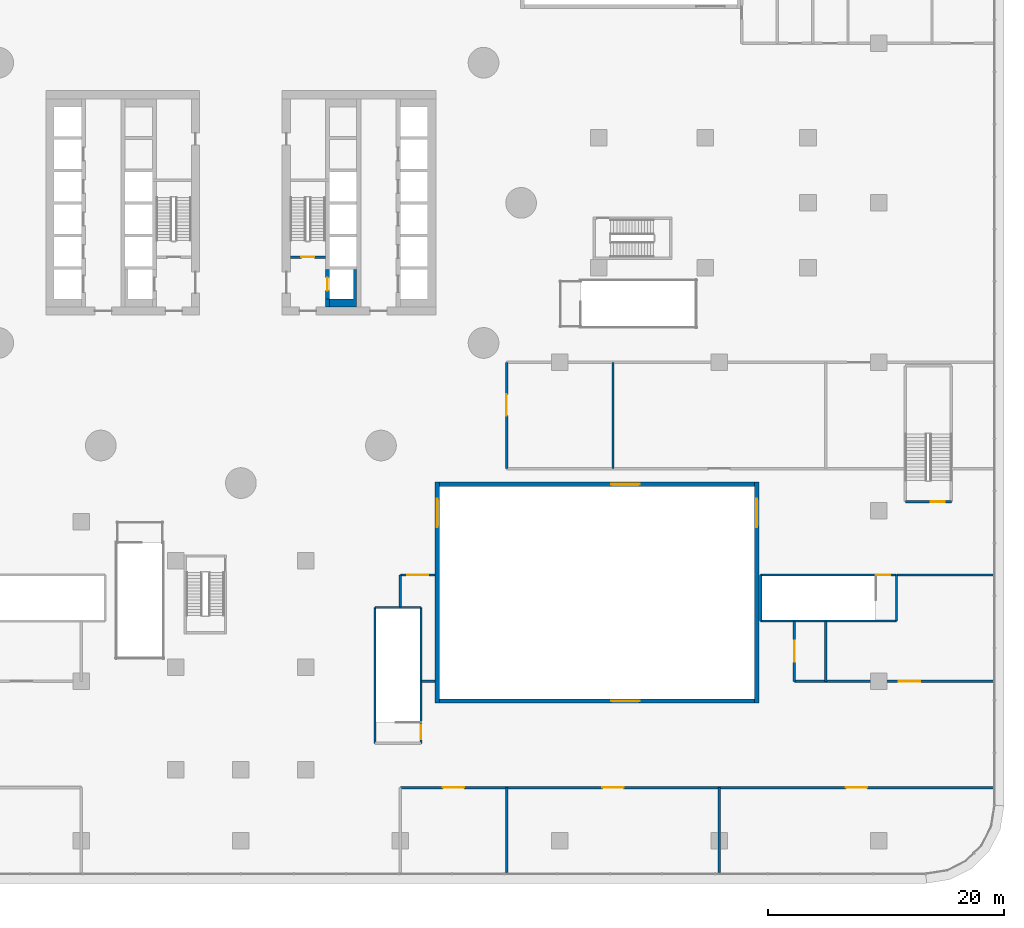
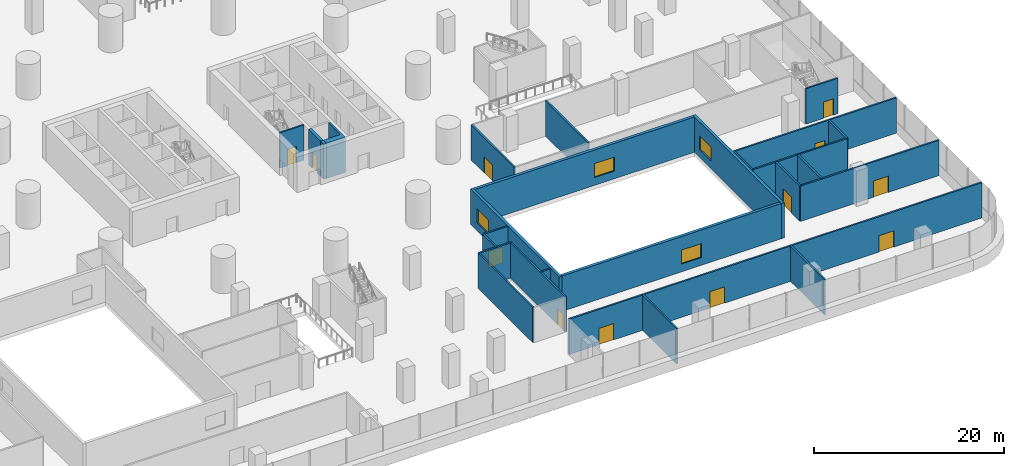
# One storey, part 25 of 38: 28 walls, 12 doors, 4 windows, 16 openings.
"""IFC4 building model written with IfcOpenShell, lengths in metres."""

from ifc_helpers import new_model, si_unit, direction, frame, frame_2d, origin, place, context, subcontext, project, spatial, polyline, rectangle, outline, extrude, material, layer, layer_set, type_object, element, fill, save


model = new_model("IFC4")

# Units and contexts
model_context = context("Model", 3, precision=1e-05, world=origin(), true_north=direction((0.0, 1.0)))
body_context = subcontext(model_context, "Body", "Model", "MODEL_VIEW")
ifc_project = project(units=[si_unit("LENGTHUNIT", "METRE"), si_unit("AREAUNIT", "SQUARE_METRE"), si_unit("VOLUMEUNIT", "CUBIC_METRE"), si_unit("PLANEANGLEUNIT", "RADIAN"), si_unit("MASSUNIT", "GRAM", prefix="KILO")], contexts=[model_context])

# Site, building, storey
site_placement = place(None, origin())
site = spatial("IfcSite", under=ifc_project, at=site_placement, CompositionType="ELEMENT")
building_placement = place(site_placement, origin())
building = spatial("IfcBuilding", under=site, at=building_placement, Name="Tamarind Cross Interchange Tower", CompositionType="ELEMENT")
storey_placement = place(building_placement, frame((0.0, 0.0, 20.0)))
storey = spatial("IfcBuildingStorey", under=building, at=storey_placement, Name="L03", CompositionType="ELEMENT", Elevation=20.0)

# Walls
ifc_material_1 = material(Name="Concrete C80", Category="concrete")
ifc_layer_1 = layer(ifc_material_1, 0.35009765625)
ifc_layer_set_1 = layer_set([ifc_layer_1], Name="Concrete C80")
wall_type_1 = type_object("IfcWallType", Name="Core web wall 350 mm Concrete C80", PredefinedType="SHEAR", material=ifc_layer_set_1)
wall_1_placement = place(storey_placement, origin())
element("IfcWall", 1, at=wall_1_placement, inside=storey, type_object=wall_type_1, Name="Core wall CWL-L03-E-BS", PredefinedType="SHEAR", context=body_context, shape_type="SweptSolid", body=[
    extrude(outline(polyline([(7.5, -8.125), (7.5, -8.800048828125), (9.800048828125, -8.800048828125), (9.800048828125, -8.125), (9.800048828125, -5.625), (9.550048828125, -5.625), (9.550048828125, -8.125), (7.5, -8.125)])), origin(), (0.0, 0.0, 1.0), 4.550048828125),
])
wall_2_placement = place(storey_placement, frame((7.324951171875, -8.800048828125, 0.0), z_axis=(0.0, 0.0, 1.0), x_axis=(0.0, 1.0, 0.0)))
element("IfcWall", 2, at=wall_2_placement, inside=storey, type_object=wall_type_1, Name="Core wall CWL-L03-E-BW", PredefinedType="SHEAR", context=body_context, shape_type="SweptSolid", body=[
    extrude(rectangle(XDim=0.675048828125, YDim=0.35009765625, at=frame_2d((0.33740234375, 0.0))), origin(), (0.0, 0.0, 1.0), 4.550048828125),
])

# Wall, opening, door
wall_3_placement = place(storey_placement, frame((7.324951171875, -8.125, 0.0), z_axis=(0.0, 0.0, 1.0), x_axis=(0.0, 1.0, 0.0)))
wall_3 = element("IfcWall", 3, at=wall_3_placement, inside=storey, type_object=wall_type_1, Name="Core wall CWL-L03-E-FF", PredefinedType="SHEAR", context=body_context, shape_type="SweptSolid", body=[
    extrude(rectangle(XDim=2.5, YDim=0.35009765625, at=frame_2d((1.25, 0.0))), origin(), (0.0, 0.0, 1.0), 4.550048828125),
])
opening_1_placement = place(wall_3_placement, frame((0.699951171875, 0.0, 0.0)))
opening_1 = element("IfcOpeningElement", 4, at=opening_1_placement, cuts=wall_3, Name="Opening LD19L03", PredefinedType="OPENING", context=body_context, shape_type="SweptSolid", body=[
    extrude(rectangle(XDim=1.10009765625, YDim=2.10009765625, at=frame_2d((0.550048828125, 1.050048828125))), frame((0.0, 0.18505859375, 0.0), z_axis=(0.0, -1.0, 0.0), x_axis=(1.0, 0.0, 0.0)), (0.0, 0.0, 1.0), 0.3701171875),
])
ifc_material_2 = material(Name="Stainless steel panel", Category="steel")
door_type_1 = type_object("IfcDoorType", Name="Lift landing door 1100 x 2100 E 120", OperationType="SLIDING_TO_LEFT", PredefinedType="DOOR", material=ifc_material_2)
door_1_placement = place(opening_1_placement, origin())
door_1 = element("IfcDoor", 5, at=door_1_placement, inside=storey, type_object=door_type_1, Name="L03 landing door LF19", OperationType="SLIDING_TO_LEFT", OverallHeight=2.10009765625, OverallWidth=1.10009765625, PredefinedType="DOOR", context=body_context, shape_type="SweptSolid", body=[
    extrude(rectangle(XDim=1.10009765625, YDim=2.10009765625, at=frame_2d((0.550048828125, 1.050048828125))), frame((0.0, 0.02490234375, 0.0), z_axis=(0.0, -1.0, 0.0), x_axis=(1.0, 0.0, 0.0)), (0.0, 0.0, 1.0), 0.050048828125),
])
fill(opening_1, door_1)

# Wall, openings, doors
ifc_material_3 = material(Name="Masonry partition, fire-rated", Category="masonry")
ifc_layer_2 = layer(ifc_material_3, 0.199951171875)
ifc_layer_set_2 = layer_set([ifc_layer_2], Name="Masonry partition, fire-rated")
wall_type_2 = type_object("IfcWallType", Name="Fire partition 200 EI 120", PredefinedType="PARTITIONING", material=ifc_layer_set_2)
wall_4_placement = place(storey_placement, frame((13.5, -49.5, 0.0), z_axis=(0.0, 0.0, 1.0), x_axis=(1.0, 0.0, 0.0)))
wall_4 = element("IfcWall", 6, at=wall_4_placement, inside=storey, type_object=wall_type_2, Name="L03 partition 86", PredefinedType="PARTITIONING", context=body_context, shape_type="SweptSolid", body=[
    extrude(rectangle(XDim=50.198974609375, YDim=0.199951171875, at=frame_2d((25.099609375, 0.0))), origin(), (0.0, 0.0, 1.0), 4.550048828125),
])
opening_2_placement = place(wall_4_placement, frame((3.60009765625, 0.0, 0.0)))
opening_2 = element("IfcOpeningElement", 7, at=opening_2_placement, cuts=wall_4, Name="Opening DL03-46", PredefinedType="OPENING", context=body_context, shape_type="SweptSolid", body=[
    extrude(rectangle(XDim=1.800048828125, YDim=2.10009765625, at=frame_2d((0.89990234375, 1.050048828125))), frame((0.0, 0.10986328125, 0.0), z_axis=(0.0, -1.0, 0.0), x_axis=(1.0, 0.0, 0.0)), (0.0, 0.0, 1.0), 0.219970703125),
])
opening_3_placement = place(wall_4_placement, frame((17.10009765625, 0.0, 0.0)))
opening_3 = element("IfcOpeningElement", 8, at=opening_3_placement, cuts=wall_4, Name="Opening DL03-47", PredefinedType="OPENING", context=body_context, shape_type="SweptSolid", body=[
    extrude(rectangle(XDim=1.800048828125, YDim=2.10009765625, at=frame_2d((0.89990234375, 1.050048828125))), frame((0.0, 0.10986328125, 0.0), z_axis=(0.0, -1.0, 0.0), x_axis=(1.0, 0.0, 0.0)), (0.0, 0.0, 1.0), 0.219970703125),
])
opening_4_placement = place(wall_4_placement, frame((37.7099609375, 0.0, 0.0)))
opening_4 = element("IfcOpeningElement", 9, at=opening_4_placement, cuts=wall_4, Name="Opening DL03-48", PredefinedType="OPENING", context=body_context, shape_type="SweptSolid", body=[
    extrude(rectangle(XDim=1.800048828125, YDim=2.10009765625, at=frame_2d((0.89990234375, 1.050048828125))), frame((0.0, 0.10986328125, 0.0), z_axis=(0.0, -1.0, 0.0), x_axis=(1.0, 0.0, 0.0)), (0.0, 0.0, 1.0), 0.219970703125),
])
ifc_material_4 = material(Name="Steel, fire-resisting", Category="steel")
door_type_2 = type_object("IfcDoorType", Name="Podium door 1800 x 2100 FD60", OperationType="SINGLE_SWING_LEFT", PredefinedType="DOOR", material=ifc_material_4)
door_2_placement = place(opening_2_placement, origin())
door_2 = element("IfcDoor", 10, at=door_2_placement, inside=storey, type_object=door_type_2, Name="L03 door Health Clinic 0331", OperationType="SINGLE_SWING_RIGHT", OverallHeight=2.10009765625, OverallWidth=1.800048828125, PredefinedType="DOOR", context=body_context, shape_type="SweptSolid", body=[
    extrude(rectangle(XDim=1.800048828125, YDim=2.10009765625, at=frame_2d((0.89990234375, 1.050048828125))), frame((0.0, 0.02490234375, 0.0), z_axis=(0.0, -1.0, 0.0), x_axis=(1.0, 0.0, 0.0)), (0.0, 0.0, 1.0), 0.050048828125),
])
fill(opening_2, door_2)
door_3_placement = place(opening_3_placement, origin())
door_3 = element("IfcDoor", 11, at=door_3_placement, inside=storey, type_object=door_type_2, Name="L03 door Training Room 0332", OperationType="SINGLE_SWING_LEFT", OverallHeight=2.10009765625, OverallWidth=1.800048828125, PredefinedType="DOOR", context=body_context, shape_type="SweptSolid", body=[
    extrude(rectangle(XDim=1.800048828125, YDim=2.10009765625, at=frame_2d((0.89990234375, 1.050048828125))), frame((0.0, 0.02490234375, 0.0), z_axis=(0.0, -1.0, 0.0), x_axis=(1.0, 0.0, 0.0)), (0.0, 0.0, 1.0), 0.050048828125),
])
fill(opening_3, door_3)
door_4_placement = place(opening_4_placement, origin())
door_4 = element("IfcDoor", 12, at=door_4_placement, inside=storey, type_object=door_type_2, Name="L03 door Co-working Suite 0333", OperationType="SINGLE_SWING_RIGHT", OverallHeight=2.10009765625, OverallWidth=1.800048828125, PredefinedType="DOOR", context=body_context, shape_type="SweptSolid", body=[
    extrude(rectangle(XDim=1.800048828125, YDim=2.10009765625, at=frame_2d((0.89990234375, 1.050048828125))), frame((0.0, 0.02490234375, 0.0), z_axis=(0.0, -1.0, 0.0), x_axis=(1.0, 0.0, 0.0)), (0.0, 0.0, 1.0), 0.050048828125),
])
fill(opening_4, door_4)

# Wall
wall_5_placement = place(storey_placement, frame((13.5, -34.219970703125, 0.0), z_axis=(0.0, 0.0, 1.0), x_axis=(0.0, 1.0, 0.0)))
element("IfcWall", 13, at=wall_5_placement, inside=storey, type_object=wall_type_2, Name="L03 partition 87", PredefinedType="PARTITIONING", context=body_context, shape_type="SweptSolid", body=[
    extrude(rectangle(XDim=2.719970703125, YDim=0.199951171875, at=frame_2d((1.35986328125, 0.0))), origin(), (0.0, 0.0, 1.0), 4.550048828125),
])

# Wall, opening, door
wall_6_placement = place(storey_placement, frame((13.5, -31.5, 0.0), z_axis=(0.0, 0.0, 1.0), x_axis=(1.0, 0.0, 0.0)))
wall_6 = element("IfcWall", 14, at=wall_6_placement, inside=storey, type_object=wall_type_2, Name="L03 partition 88", PredefinedType="PARTITIONING", context=body_context, shape_type="SweptSolid", body=[
    extrude(rectangle(XDim=2.919921875, YDim=0.199951171875, at=frame_2d((1.4599609375, 0.0))), origin(), (0.0, 0.0, 1.0), 4.550048828125),
])
opening_5_placement = place(wall_6_placement, frame((0.574951171875, 0.0, 0.0)))
opening_5 = element("IfcOpeningElement", 15, at=opening_5_placement, cuts=wall_6, Name="Opening DL03-44", PredefinedType="OPENING", context=body_context, shape_type="SweptSolid", body=[
    extrude(rectangle(XDim=1.800048828125, YDim=2.10009765625, at=frame_2d((0.89990234375, 1.050048828125))), frame((0.0, 0.10986328125, 0.0), z_axis=(0.0, -1.0, 0.0), x_axis=(1.0, 0.0, 0.0)), (0.0, 0.0, 1.0), 0.219970703125),
])
door_5_placement = place(opening_5_placement, origin())
door_5 = element("IfcDoor", 16, at=door_5_placement, inside=storey, type_object=door_type_2, Name="L03 door Childcare Room 0328", OperationType="SINGLE_SWING_RIGHT", OverallHeight=2.10009765625, OverallWidth=1.800048828125, PredefinedType="DOOR", context=body_context, shape_type="SweptSolid", body=[
    extrude(rectangle(XDim=1.800048828125, YDim=2.10009765625, at=frame_2d((0.89990234375, 1.050048828125))), frame((0.0, 0.02490234375, 0.0), z_axis=(0.0, -1.0, 0.0), x_axis=(1.0, 0.0, 0.0)), (0.0, 0.0, 1.0), 0.050048828125),
])
fill(opening_5, door_5)

# Walls
wall_7_placement = place(storey_placement, frame((15.280029296875, -40.5, 0.0), z_axis=(0.0, 0.0, 1.0), x_axis=(1.0, 0.0, 0.0)))
element("IfcWall", 17, at=wall_7_placement, inside=storey, type_object=wall_type_2, Name="L03 partition 90", PredefinedType="PARTITIONING", context=body_context, shape_type="SweptSolid", body=[
    extrude(rectangle(XDim=1.139892578125, YDim=0.199951171875, at=frame_2d((0.56982421875, 0.0))), origin(), (0.0, 0.0, 1.0), 4.550048828125),
])
wall_8_placement = place(storey_placement, frame((22.5, -56.698974609375, 0.0), z_axis=(0.0, 0.0, 1.0), x_axis=(0.0, 1.0, 0.0)))
element("IfcWall", 18, at=wall_8_placement, inside=storey, type_object=wall_type_2, Name="L03 partition 92", PredefinedType="PARTITIONING", context=body_context, shape_type="SweptSolid", body=[
    extrude(rectangle(XDim=7.198974609375, YDim=0.199951171875, at=frame_2d((3.599609375, 0.0))), origin(), (0.0, 0.0, 1.0), 4.550048828125),
])
wall_9_placement = place(storey_placement, frame((31.5, -22.5, 0.0), z_axis=(0.0, 0.0, 1.0), x_axis=(0.0, 1.0, 0.0)))
element("IfcWall", 19, at=wall_9_placement, inside=storey, type_object=wall_type_2, Name="L03 partition 97", PredefinedType="PARTITIONING", context=body_context, shape_type="SweptSolid", body=[
    extrude(rectangle(XDim=9.0, YDim=0.199951171875, at=frame_2d((4.5, 0.0))), origin(), (0.0, 0.0, 1.0), 4.550048828125),
])

# Wall, opening, door
wall_10_placement = place(storey_placement, frame((22.5, -22.5, 0.0), z_axis=(0.0, 0.0, 1.0), x_axis=(0.0, 1.0, 0.0)))
wall_10 = element("IfcWall", 20, at=wall_10_placement, inside=storey, type_object=wall_type_2, Name="L03 partition 98", PredefinedType="PARTITIONING", context=body_context, shape_type="SweptSolid", body=[
    extrude(rectangle(XDim=9.0, YDim=0.199951171875, at=frame_2d((4.5, 0.0))), origin(), (0.0, 0.0, 1.0), 4.550048828125),
])
opening_6_placement = place(wall_10_placement, frame((4.491943359375, 0.0, 0.0)))
opening_6 = element("IfcOpeningElement", 21, at=opening_6_placement, cuts=wall_10, Name="Opening DL03-41", PredefinedType="OPENING", context=body_context, shape_type="SweptSolid", body=[
    extrude(rectangle(XDim=1.800048828125, YDim=2.10009765625, at=frame_2d((0.89990234375, 1.050048828125))), frame((0.0, 0.10986328125, 0.0), z_axis=(0.0, -1.0, 0.0), x_axis=(1.0, 0.0, 0.0)), (0.0, 0.0, 1.0), 0.219970703125),
])
door_6_placement = place(opening_6_placement, origin())
door_6 = element("IfcDoor", 22, at=door_6_placement, inside=storey, type_object=door_type_2, Name="L03 door Health Clinic 0325", OperationType="SINGLE_SWING_LEFT", OverallHeight=2.10009765625, OverallWidth=1.800048828125, PredefinedType="DOOR", context=body_context, shape_type="SweptSolid", body=[
    extrude(rectangle(XDim=1.800048828125, YDim=2.10009765625, at=frame_2d((0.89990234375, 1.050048828125))), frame((0.0, 0.02490234375, 0.0), z_axis=(0.0, -1.0, 0.0), x_axis=(1.0, 0.0, 0.0)), (0.0, 0.0, 1.0), 0.050048828125),
])
fill(opening_6, door_6)

# Wall
wall_11_placement = place(storey_placement, frame((40.5, -56.698974609375, 0.0), z_axis=(0.0, 0.0, 1.0), x_axis=(0.0, 1.0, 0.0)))
element("IfcWall", 23, at=wall_11_placement, inside=storey, type_object=wall_type_2, Name="L03 partition 101", PredefinedType="PARTITIONING", context=body_context, shape_type="SweptSolid", body=[
    extrude(rectangle(XDim=7.198974609375, YDim=0.199951171875, at=frame_2d((3.599609375, 0.0))), origin(), (0.0, 0.0, 1.0), 4.550048828125),
])

# Wall, opening, door
wall_12_placement = place(storey_placement, frame((46.85009765625, -40.5, 0.0), z_axis=(0.0, 0.0, 1.0), x_axis=(1.0, 0.0, 0.0)))
wall_12 = element("IfcWall", 24, at=wall_12_placement, inside=storey, type_object=wall_type_2, Name="L03 partition 106", PredefinedType="PARTITIONING", context=body_context, shape_type="SweptSolid", body=[
    extrude(rectangle(XDim=16.848876953125, YDim=0.199951171875, at=frame_2d((8.42431640625, 0.0))), origin(), (0.0, 0.0, 1.0), 4.550048828125),
])
opening_7_placement = place(wall_12_placement, frame((8.860107421875, 0.0, 0.0)))
opening_7 = element("IfcOpeningElement", 25, at=opening_7_placement, cuts=wall_12, Name="Opening DL03-45", PredefinedType="OPENING", context=body_context, shape_type="SweptSolid", body=[
    extrude(rectangle(XDim=1.800048828125, YDim=2.10009765625, at=frame_2d((0.89990234375, 1.050048828125))), frame((0.0, 0.10986328125, 0.0), z_axis=(0.0, -1.0, 0.0), x_axis=(1.0, 0.0, 0.0)), (0.0, 0.0, 1.0), 0.219970703125),
])
door_7_placement = place(opening_7_placement, origin())
door_7 = element("IfcDoor", 26, at=door_7_placement, inside=storey, type_object=door_type_2, Name="L03 door Library Reading Room 0330", OperationType="SINGLE_SWING_LEFT", OverallHeight=2.10009765625, OverallWidth=1.800048828125, PredefinedType="DOOR", context=body_context, shape_type="SweptSolid", body=[
    extrude(rectangle(XDim=1.800048828125, YDim=2.10009765625, at=frame_2d((0.89990234375, 1.050048828125))), frame((0.0, 0.02490234375, 0.0), z_axis=(0.0, -1.0, 0.0), x_axis=(1.0, 0.0, 0.0)), (0.0, 0.0, 1.0), 0.050048828125),
])
fill(opening_7, door_7)

wall_13_placement = place(storey_placement, frame((46.85009765625, -40.5, 0.0), z_axis=(0.0, 0.0, 1.0), x_axis=(0.0, 1.0, 0.0)))
wall_13 = element("IfcWall", 27, at=wall_13_placement, inside=storey, type_object=wall_type_2, Name="L03 partition 107", PredefinedType="PARTITIONING", context=body_context, shape_type="SweptSolid", body=[
    extrude(rectangle(XDim=5.070068359375, YDim=0.199951171875, at=frame_2d((2.53515625, 0.0))), origin(), (0.0, 0.0, 1.0), 4.550048828125),
])
opening_8_placement = place(wall_13_placement, frame((1.64990234375, 0.0, 0.0)))
opening_8 = element("IfcOpeningElement", 28, at=opening_8_placement, cuts=wall_13, Name="Opening DL03-49", PredefinedType="OPENING", context=body_context, shape_type="SweptSolid", body=[
    extrude(rectangle(XDim=1.800048828125, YDim=2.10009765625, at=frame_2d((0.89990234375, 1.050048828125))), frame((0.0, 0.10986328125, 0.0), z_axis=(0.0, -1.0, 0.0), x_axis=(1.0, 0.0, 0.0)), (0.0, 0.0, 1.0), 0.219970703125),
])
door_8_placement = place(opening_8_placement, origin())
door_8 = element("IfcDoor", 29, at=door_8_placement, inside=storey, type_object=door_type_2, Name="L03 door Community Hall 0329", OperationType="SINGLE_SWING_LEFT", OverallHeight=2.10009765625, OverallWidth=1.800048828125, PredefinedType="DOOR", context=body_context, shape_type="SweptSolid", body=[
    extrude(rectangle(XDim=1.800048828125, YDim=2.10009765625, at=frame_2d((0.89990234375, 1.050048828125))), frame((0.0, 0.02490234375, 0.0), z_axis=(0.0, -1.0, 0.0), x_axis=(1.0, 0.0, 0.0)), (0.0, 0.0, 1.0), 0.050048828125),
])
fill(opening_8, door_8)

# Walls
wall_14_placement = place(storey_placement, frame((49.5, -40.5, 0.0), z_axis=(0.0, 0.0, 1.0), x_axis=(0.0, 1.0, 0.0)))
element("IfcWall", 30, at=wall_14_placement, inside=storey, type_object=wall_type_2, Name="L03 partition 109", PredefinedType="PARTITIONING", context=body_context, shape_type="SweptSolid", body=[
    extrude(rectangle(XDim=5.070068359375, YDim=0.199951171875, at=frame_2d((2.53515625, 0.0))), origin(), (0.0, 0.0, 1.0), 4.550048828125),
])
wall_15_placement = place(storey_placement, frame((55.530029296875, -31.5, 0.0), z_axis=(0.0, 0.0, 1.0), x_axis=(1.0, 0.0, 0.0)))
element("IfcWall", 31, at=wall_15_placement, inside=storey, type_object=wall_type_2, Name="L03 partition 113", PredefinedType="PARTITIONING", context=body_context, shape_type="SweptSolid", body=[
    extrude(rectangle(XDim=8.1689453125, YDim=0.199951171875, at=frame_2d((4.08447265625, 0.0))), origin(), (0.0, 0.0, 1.0), 4.550048828125),
])

# Wall, opening, window
ifc_material_5 = material(Name="Precast concrete C40", Category="concrete")
ifc_layer_3 = layer(ifc_material_5, 0.35009765625)
ifc_layer_set_3 = layer_set([ifc_layer_3], Name="Precast concrete C40")
wall_type_3 = type_object("IfcWallType", Name="Podium facade wall", PredefinedType="SOLIDWALL", material=ifc_layer_set_3)
wall_16_placement = place(storey_placement, frame((16.800048828125, -42.175048828125, 0.0), z_axis=(0.0, 0.0, 1.0), x_axis=(1.0, 0.0, 0.0)))
wall_16 = element("IfcWall", 32, at=wall_16_placement, inside=storey, type_object=wall_type_3, Name="CTW-L03-SES00", PredefinedType="SOLIDWALL", context=body_context, shape_type="SweptSolid", body=[
    extrude(rectangle(XDim=26.699951171875, YDim=0.35009765625, at=frame_2d((13.35009765625, 0.0))), origin(), (0.0, 0.0, 1.0), 4.550048828125),
])
opening_9_placement = place(wall_16_placement, frame((14.550048828125, 0.0, 1.0)))
opening_9 = element("IfcOpeningElement", 33, at=opening_9_placement, cuts=wall_16, Name="Opening W4", PredefinedType="OPENING", context=body_context, shape_type="SweptSolid", body=[
    extrude(rectangle(XDim=2.39990234375, YDim=1.800048828125, at=frame_2d((1.199951171875, 0.89990234375))), frame((0.0, 0.18505859375, 0.0), z_axis=(0.0, -1.0, 0.0), x_axis=(1.0, 0.0, 0.0)), (0.0, 0.0, 1.0), 0.3701171875),
])
ifc_material_6 = material(Name="Aluminium and toughened glass", Category="aluminium")
window_type = type_object("IfcWindowType", Name="Podium daylight window", PartitioningType="SINGLE_PANEL", PredefinedType="WINDOW", material=ifc_material_6)
window_1_placement = place(opening_9_placement, origin())
window_1 = element("IfcWindow", 34, at=window_1_placement, inside=storey, type_object=window_type, Name="CTX-L03-SES-01-00", OverallHeight=1.800048828125, OverallWidth=2.39990234375, PartitioningType="SINGLE_PANEL", PredefinedType="WINDOW", context=body_context, shape_type="SweptSolid", body=[
    extrude(rectangle(XDim=2.39990234375, YDim=1.800048828125, at=frame_2d((1.199951171875, 0.89990234375))), frame((0.0, 0.030029296875, 0.0), z_axis=(0.0, -1.0, 0.0), x_axis=(1.0, 0.0, 0.0)), (0.0, 0.0, 1.0), 0.06005859375),
])
fill(opening_9, window_1)

wall_17_placement = place(storey_placement, frame((16.800048828125, -23.824951171875, 0.0), z_axis=(0.0, 0.0, 1.0), x_axis=(1.0, 0.0, 0.0)))
wall_17 = element("IfcWall", 35, at=wall_17_placement, inside=storey, type_object=wall_type_3, Name="CTW-L03-SEN00", PredefinedType="SOLIDWALL", context=body_context, shape_type="SweptSolid", body=[
    extrude(rectangle(XDim=26.699951171875, YDim=0.35009765625, at=frame_2d((13.35009765625, 0.0))), origin(), (0.0, 0.0, 1.0), 4.550048828125),
])
opening_10_placement = place(wall_17_placement, frame((14.550048828125, 0.0, 1.0)))
opening_10 = element("IfcOpeningElement", 36, at=opening_10_placement, cuts=wall_17, Name="Opening W4", PredefinedType="OPENING", context=body_context, shape_type="SweptSolid", body=[
    extrude(rectangle(XDim=2.39990234375, YDim=1.800048828125, at=frame_2d((1.199951171875, 0.89990234375))), frame((0.0, 0.18505859375, 0.0), z_axis=(0.0, -1.0, 0.0), x_axis=(1.0, 0.0, 0.0)), (0.0, 0.0, 1.0), 0.3701171875),
])
window_2_placement = place(opening_10_placement, origin())
window_2 = element("IfcWindow", 37, at=window_2_placement, inside=storey, type_object=window_type, Name="CTX-L03-SEN-01-00", OverallHeight=1.800048828125, OverallWidth=2.39990234375, PartitioningType="SINGLE_PANEL", PredefinedType="WINDOW", context=body_context, shape_type="SweptSolid", body=[
    extrude(rectangle(XDim=2.39990234375, YDim=1.800048828125, at=frame_2d((1.199951171875, 0.89990234375))), frame((0.0, 0.030029296875, 0.0), z_axis=(0.0, -1.0, 0.0), x_axis=(1.0, 0.0, 0.0)), (0.0, 0.0, 1.0), 0.06005859375),
])
fill(opening_10, window_2)

wall_18_placement = place(storey_placement, frame((16.625, -42.35009765625, 0.0), z_axis=(0.0, 0.0, 1.0), x_axis=(0.0, 1.0, 0.0)))
wall_18 = element("IfcWall", 38, at=wall_18_placement, inside=storey, type_object=wall_type_3, Name="CTW-L03-SEW00", PredefinedType="SOLIDWALL", context=body_context, shape_type="SweptSolid", body=[
    extrude(rectangle(XDim=18.7001953125, YDim=0.35009765625, at=frame_2d((9.35009765625, 0.0))), origin(), (0.0, 0.0, 1.0), 4.550048828125),
])
opening_11_placement = place(wall_18_placement, frame((14.89990234375, 0.0, 1.0)))
opening_11 = element("IfcOpeningElement", 39, at=opening_11_placement, cuts=wall_18, Name="Opening W4", PredefinedType="OPENING", context=body_context, shape_type="SweptSolid", body=[
    extrude(rectangle(XDim=2.39990234375, YDim=1.800048828125, at=frame_2d((1.199951171875, 0.89990234375))), frame((0.0, 0.18505859375, 0.0), z_axis=(0.0, -1.0, 0.0), x_axis=(1.0, 0.0, 0.0)), (0.0, 0.0, 1.0), 0.3701171875),
])
window_3_placement = place(opening_11_placement, origin())
window_3 = element("IfcWindow", 40, at=window_3_placement, inside=storey, type_object=window_type, Name="CTX-L03-SEW-01-00", OverallHeight=1.800048828125, OverallWidth=2.39990234375, PartitioningType="SINGLE_PANEL", PredefinedType="WINDOW", context=body_context, shape_type="SweptSolid", body=[
    extrude(rectangle(XDim=2.39990234375, YDim=1.800048828125, at=frame_2d((1.199951171875, 0.89990234375))), frame((0.0, 0.030029296875, 0.0), z_axis=(0.0, -1.0, 0.0), x_axis=(1.0, 0.0, 0.0)), (0.0, 0.0, 1.0), 0.06005859375),
])
fill(opening_11, window_3)

wall_19_placement = place(storey_placement, frame((43.675048828125, -42.35009765625, 0.0), z_axis=(0.0, 0.0, 1.0), x_axis=(0.0, 1.0, 0.0)))
wall_19 = element("IfcWall", 41, at=wall_19_placement, inside=storey, type_object=wall_type_3, Name="CTW-L03-SEE00", PredefinedType="SOLIDWALL", context=body_context, shape_type="SweptSolid", body=[
    extrude(rectangle(XDim=18.7001953125, YDim=0.35009765625, at=frame_2d((9.35009765625, 0.0))), origin(), (0.0, 0.0, 1.0), 4.550048828125),
])
opening_12_placement = place(wall_19_placement, frame((14.89990234375, 0.0, 1.0)))
opening_12 = element("IfcOpeningElement", 42, at=opening_12_placement, cuts=wall_19, Name="Opening W4", PredefinedType="OPENING", context=body_context, shape_type="SweptSolid", body=[
    extrude(rectangle(XDim=2.39990234375, YDim=1.800048828125, at=frame_2d((1.199951171875, 0.89990234375))), frame((0.0, 0.18505859375, 0.0), z_axis=(0.0, -1.0, 0.0), x_axis=(1.0, 0.0, 0.0)), (0.0, 0.0, 1.0), 0.3701171875),
])
window_4_placement = place(opening_12_placement, origin())
window_4 = element("IfcWindow", 43, at=window_4_placement, inside=storey, type_object=window_type, Name="CTX-L03-SEE-01-00", OverallHeight=1.800048828125, OverallWidth=2.39990234375, PartitioningType="SINGLE_PANEL", PredefinedType="WINDOW", context=body_context, shape_type="SweptSolid", body=[
    extrude(rectangle(XDim=2.39990234375, YDim=1.800048828125, at=frame_2d((1.199951171875, 0.89990234375))), frame((0.0, 0.030029296875, 0.0), z_axis=(0.0, -1.0, 0.0), x_axis=(1.0, 0.0, 0.0)), (0.0, 0.0, 1.0), 0.06005859375),
])
fill(opening_12, window_4)

# Walls
ifc_material_7 = material(Name="Concrete C40", Category="concrete")
ifc_layer_4 = layer(ifc_material_7, 0.199951171875)
ifc_layer_set_4 = layer_set([ifc_layer_4], Name="Concrete C40")
wall_type_4 = type_object("IfcWallType", Name="Stair shaft wall 200 EI 180", PredefinedType="PARTITIONING", material=ifc_layer_set_4)
wall_20_placement = place(storey_placement, frame((11.35009765625, -45.75, 0.0), z_axis=(0.0, 0.0, 1.0), x_axis=(0.0, 1.0, 0.0)))
element("IfcWall", 44, at=wall_20_placement, inside=storey, type_object=wall_type_4, Name="L03 stair shaft wall 25", PredefinedType="PARTITIONING", context=body_context, shape_type="SweptSolid", body=[
    extrude(rectangle(XDim=11.5, YDim=0.199951171875, at=frame_2d((5.75, 0.0))), origin(), (0.0, 0.0, 1.0), 4.550048828125),
])
wall_21_placement = place(storey_placement, frame((11.35009765625, -34.25, 0.0), z_axis=(0.0, 0.0, 1.0), x_axis=(1.0, 0.0, 0.0)))
element("IfcWall", 45, at=wall_21_placement, inside=storey, type_object=wall_type_4, Name="L03 stair shaft wall 26", PredefinedType="PARTITIONING", context=body_context, shape_type="SweptSolid", body=[
    extrude(rectangle(XDim=3.89990234375, YDim=0.199951171875, at=frame_2d((1.949951171875, 0.0))), origin(), (0.0, 0.0, 1.0), 4.550048828125),
])

# Wall, opening, door
wall_22_placement = place(storey_placement, frame((15.25, -45.75, 0.0), z_axis=(0.0, 0.0, 1.0), x_axis=(0.0, 1.0, 0.0)))
wall_22 = element("IfcWall", 46, at=wall_22_placement, inside=storey, type_object=wall_type_4, Name="L03 stair shaft wall 27", PredefinedType="PARTITIONING", context=body_context, shape_type="SweptSolid", body=[
    extrude(rectangle(XDim=11.5, YDim=0.199951171875, at=frame_2d((5.75, 0.0))), origin(), (0.0, 0.0, 1.0), 4.550048828125),
])
opening_13_placement = place(wall_22_placement, frame((0.325927734375, 0.0, 0.0)))
opening_13 = element("IfcOpeningElement", 47, at=opening_13_placement, cuts=wall_22, Name="Opening DL03-12", PredefinedType="OPENING", context=body_context, shape_type="SweptSolid", body=[
    extrude(rectangle(XDim=1.199951171875, YDim=2.10009765625, at=frame_2d((0.60009765625, 1.050048828125))), frame((0.0, 0.10986328125, 0.0), z_axis=(0.0, -1.0, 0.0), x_axis=(1.0, 0.0, 0.0)), (0.0, 0.0, 1.0), 0.219970703125),
])
door_type_3 = type_object("IfcDoorType", Name="Podium door 1200 x 2100 FD90", OperationType="SINGLE_SWING_LEFT", PredefinedType="DOOR", material=ifc_material_4)
door_9_placement = place(opening_13_placement, origin())
door_9 = element("IfcDoor", 48, at=door_9_placement, inside=storey, type_object=door_type_3, Name="L03 door Exit Stair PX12", OperationType="SINGLE_SWING_RIGHT", OverallHeight=2.10009765625, OverallWidth=1.199951171875, PredefinedType="DOOR", context=body_context, shape_type="SweptSolid", body=[
    extrude(rectangle(XDim=1.199951171875, YDim=2.10009765625, at=frame_2d((0.60009765625, 1.050048828125))), frame((0.0, 0.02490234375, 0.0), z_axis=(0.0, -1.0, 0.0), x_axis=(1.0, 0.0, 0.0)), (0.0, 0.0, 1.0), 0.050048828125),
])
fill(opening_13, door_9)

# Walls
wall_23_placement = place(storey_placement, frame((44.0, -35.39990234375, 0.0), z_axis=(0.0, 0.0, 1.0), x_axis=(1.0, 0.0, 0.0)))
element("IfcWall", 49, at=wall_23_placement, inside=storey, type_object=wall_type_4, Name="L03 stair shaft wall 33", PredefinedType="PARTITIONING", context=body_context, shape_type="SweptSolid", body=[
    extrude(rectangle(XDim=11.5, YDim=0.199951171875, at=frame_2d((5.75, 0.0))), origin(), (0.0, 0.0, 1.0), 4.550048828125),
])
wall_24_placement = place(storey_placement, frame((44.0, -35.39990234375, 0.0), z_axis=(0.0, 0.0, 1.0), x_axis=(0.0, 1.0, 0.0)))
element("IfcWall", 50, at=wall_24_placement, inside=storey, type_object=wall_type_4, Name="L03 stair shaft wall 34", PredefinedType="PARTITIONING", context=body_context, shape_type="SweptSolid", body=[
    extrude(rectangle(XDim=3.89990234375, YDim=0.199951171875, at=frame_2d((1.949951171875, 0.0))), origin(), (0.0, 0.0, 1.0), 4.550048828125),
])

# Wall, opening, door
wall_25_placement = place(storey_placement, frame((44.0, -31.5, 0.0), z_axis=(0.0, 0.0, 1.0), x_axis=(1.0, 0.0, 0.0)))
wall_25 = element("IfcWall", 51, at=wall_25_placement, inside=storey, type_object=wall_type_4, Name="L03 stair shaft wall 35", PredefinedType="PARTITIONING", context=body_context, shape_type="SweptSolid", body=[
    extrude(rectangle(XDim=11.5, YDim=0.199951171875, at=frame_2d((5.75, 0.0))), origin(), (0.0, 0.0, 1.0), 4.550048828125),
])
opening_14_placement = place(wall_25_placement, frame((9.785888671875, 0.0, 0.0)))
opening_14 = element("IfcOpeningElement", 52, at=opening_14_placement, cuts=wall_25, Name="Opening DL03-10", PredefinedType="OPENING", context=body_context, shape_type="SweptSolid", body=[
    extrude(rectangle(XDim=1.199951171875, YDim=2.10009765625, at=frame_2d((0.60009765625, 1.050048828125))), frame((0.0, 0.10986328125, 0.0), z_axis=(0.0, -1.0, 0.0), x_axis=(1.0, 0.0, 0.0)), (0.0, 0.0, 1.0), 0.219970703125),
])
door_10_placement = place(opening_14_placement, origin())
door_10 = element("IfcDoor", 53, at=door_10_placement, inside=storey, type_object=door_type_3, Name="L03 door Exit Stair PX10", OperationType="SINGLE_SWING_RIGHT", OverallHeight=2.10009765625, OverallWidth=1.199951171875, PredefinedType="DOOR", context=body_context, shape_type="SweptSolid", body=[
    extrude(rectangle(XDim=1.199951171875, YDim=2.10009765625, at=frame_2d((0.60009765625, 1.050048828125))), frame((0.0, 0.02490234375, 0.0), z_axis=(0.0, -1.0, 0.0), x_axis=(1.0, 0.0, 0.0)), (0.0, 0.0, 1.0), 0.050048828125),
])
fill(opening_14, door_10)

# Wall
wall_26_placement = place(storey_placement, frame((55.5, -35.39990234375, 0.0), z_axis=(0.0, 0.0, 1.0), x_axis=(0.0, 1.0, 0.0)))
element("IfcWall", 54, at=wall_26_placement, inside=storey, type_object=wall_type_4, Name="L03 stair shaft wall 36", PredefinedType="PARTITIONING", context=body_context, shape_type="SweptSolid", body=[
    extrude(rectangle(XDim=3.89990234375, YDim=0.199951171875, at=frame_2d((1.949951171875, 0.0))), origin(), (0.0, 0.0, 1.0), 4.550048828125),
])

# Wall, opening, door
wall_27_placement = place(storey_placement, frame((56.25, -25.300048828125, 0.0), z_axis=(0.0, 0.0, 1.0), x_axis=(1.0, 0.0, 0.0)))
wall_27 = element("IfcWall", 55, at=wall_27_placement, inside=storey, type_object=wall_type_4, Name="L03 stair shaft wall 40", PredefinedType="PARTITIONING", context=body_context, shape_type="SweptSolid", body=[
    extrude(rectangle(XDim=3.89990234375, YDim=0.199951171875, at=frame_2d((1.949951171875, 0.0))), origin(), (0.0, 0.0, 1.0), 4.550048828125),
])
opening_15_placement = place(wall_27_placement, frame((2.14990234375, 0.0, 0.0)))
opening_15 = element("IfcOpeningElement", 56, at=opening_15_placement, cuts=wall_27, Name="Opening DL03-11", PredefinedType="OPENING", context=body_context, shape_type="SweptSolid", body=[
    extrude(rectangle(XDim=1.199951171875, YDim=2.10009765625, at=frame_2d((0.60009765625, 1.050048828125))), frame((0.0, 0.10986328125, 0.0), z_axis=(0.0, -1.0, 0.0), x_axis=(1.0, 0.0, 0.0)), (0.0, 0.0, 1.0), 0.219970703125),
])
door_11_placement = place(opening_15_placement, origin())
door_11 = element("IfcDoor", 57, at=door_11_placement, inside=storey, type_object=door_type_3, Name="L03 door Exit Stair PX11", OperationType="SINGLE_SWING_LEFT", OverallHeight=2.10009765625, OverallWidth=1.199951171875, PredefinedType="DOOR", context=body_context, shape_type="SweptSolid", body=[
    extrude(rectangle(XDim=1.199951171875, YDim=2.10009765625, at=frame_2d((0.60009765625, 1.050048828125))), frame((0.0, 0.02490234375, 0.0), z_axis=(0.0, -1.0, 0.0), x_axis=(1.0, 0.0, 0.0)), (0.0, 0.0, 1.0), 0.050048828125),
])
fill(opening_15, door_11)

ifc_layer_5 = layer(ifc_material_7, 0.199951171875)
ifc_layer_set_5 = layer_set([ifc_layer_5], Name="Concrete C40")
wall_type_5 = type_object("IfcWallType", Name="Stair shaft wall 200 mm Concrete C40", PredefinedType="SHEAR", material=ifc_layer_set_5)
wall_28_placement = place(storey_placement, frame((7.14990234375, -4.60009765625, 0.0), z_axis=(0.0, 0.0, 1.0), x_axis=(-1.0, 0.0, 0.0)))
wall_28 = element("IfcWall", 58, at=wall_28_placement, inside=storey, type_object=wall_type_5, Name="Core wall CWL-L03-E-SD", PredefinedType="SHEAR", context=body_context, shape_type="SweptSolid", body=[
    extrude(rectangle(XDim=2.949951171875, YDim=0.199951171875, at=frame_2d((1.47509765625, 0.0))), origin(), (0.0, 0.0, 1.0), 4.550048828125),
])
opening_16_placement = place(wall_28_placement, frame((0.925048828125, 0.0, 0.0)))
opening_16 = element("IfcOpeningElement", 59, at=opening_16_placement, cuts=wall_28, Name="Opening DCE6", PredefinedType="OPENING", context=body_context, shape_type="SweptSolid", body=[
    extrude(rectangle(XDim=1.10009765625, YDim=2.10009765625, at=frame_2d((0.550048828125, 1.050048828125))), frame((0.0, 0.10986328125, 0.0), z_axis=(0.0, -1.0, 0.0), x_axis=(1.0, 0.0, 0.0)), (0.0, 0.0, 1.0), 0.219970703125),
])
door_type_4 = type_object("IfcDoorType", Name="Core fire door 1100 x 2100 FD90", OperationType="SINGLE_SWING_LEFT", PredefinedType="DOOR", material=ifc_material_4)
door_12_placement = place(opening_16_placement, origin())
door_12 = element("IfcDoor", 60, at=door_12_placement, inside=storey, type_object=door_type_4, Name="L03 stair door", OperationType="SINGLE_SWING_LEFT", OverallHeight=2.10009765625, OverallWidth=1.10009765625, PredefinedType="DOOR", context=body_context, shape_type="SweptSolid", body=[
    extrude(rectangle(XDim=1.10009765625, YDim=2.10009765625, at=frame_2d((0.550048828125, 1.050048828125))), frame((0.0, 0.02490234375, 0.0), z_axis=(0.0, -1.0, 0.0), x_axis=(1.0, 0.0, 0.0)), (0.0, 0.0, 1.0), 0.050048828125),
])
fill(opening_16, door_12)

save(model, "model.ifc")
